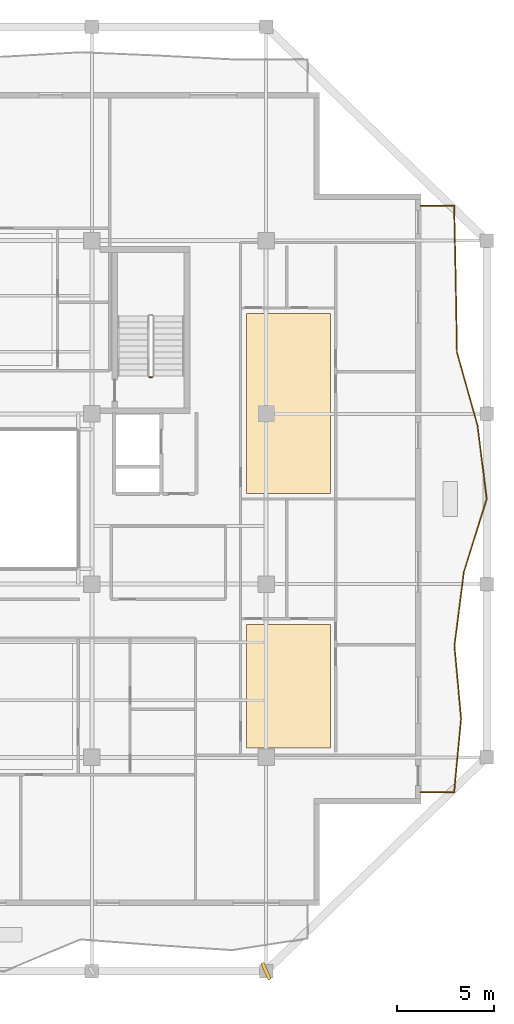
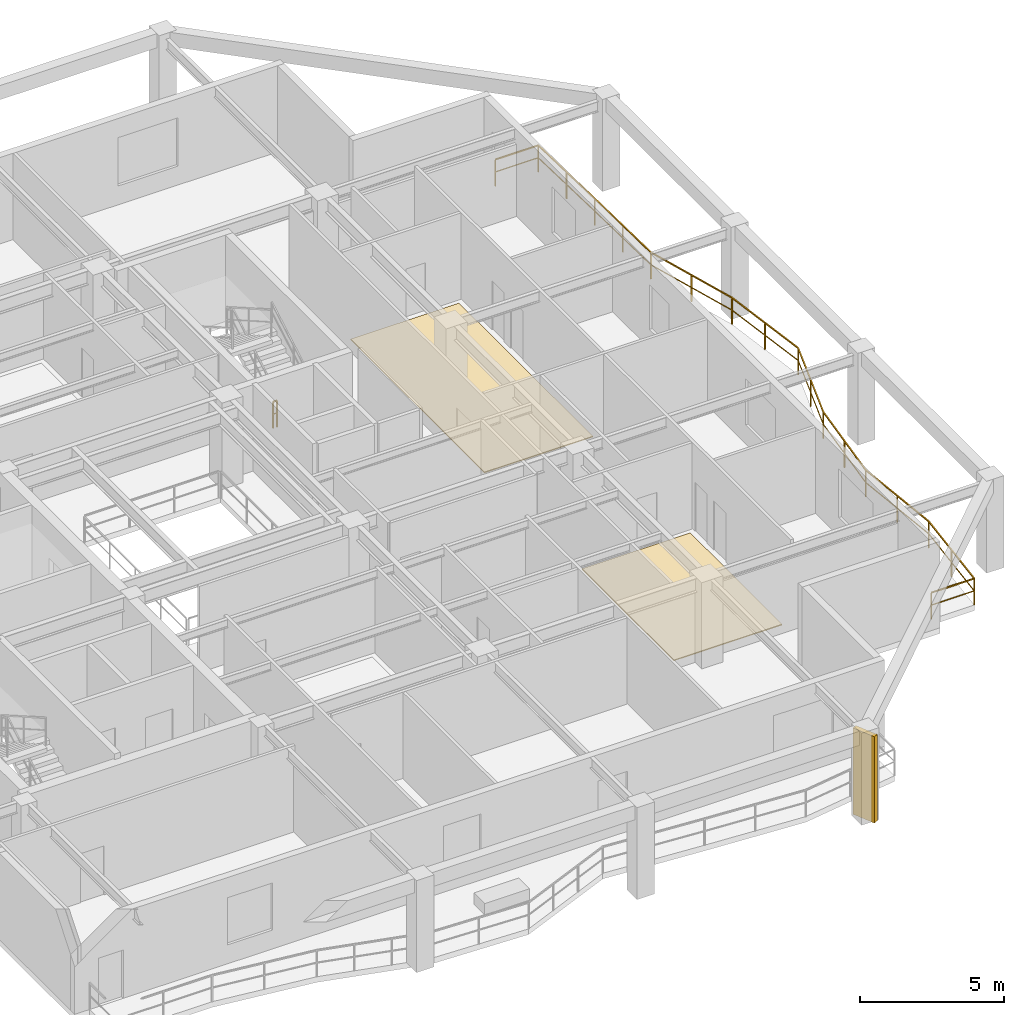
# One storey, part 9 of 11: 2 coverings, 2 railings, 1 shading device.
"""IFC4 building model written with IfcOpenShell, lengths in metres."""

import ifcopenshell
import ifcopenshell.guid

model = None  # the IFC model being written
_history = None  # IfcOwnerHistory: only IFC2X3 demands one
_inside = {}  # id of a spatial element -> (the spatial element, [elements in it])
_under = {}  # id of a project, library or spatial element -> (it, [spatial elements below it])
_declared = {}  # id of a project -> (the project, [libraries it declares])
_typed = {}  # id of a type object -> (the type object, [elements of that type])
_made_of = {}  # id of a material, layer set ... -> (it, [elements and type objects made of it])


def new_model(schema):
    """Start an empty IFC model of exactly this schema.

    Asked for "IFC4X3", IfcOpenShell would pick the latest addendum, in which some entities
    have other attributes; the version numbers below select the first issue.
    IFC2X3 requires an IfcOwnerHistory on every rooted entity: one is made here for all.
    """
    global model, _history
    if schema == "IFC4X3":
        model = ifcopenshell.file(schema_version=(4, 3, 0, 0))
    else:
        model = ifcopenshell.file(schema=schema)
    _inside.clear()
    _under.clear()
    _declared.clear()
    _typed.clear()
    _made_of.clear()
    _history = None
    if model.schema == "IFC2X3":
        org = make("IfcOrganization", Name="unknown")
        user = make(
            "IfcPersonAndOrganization",
            ThePerson=make("IfcPerson", FamilyName="unknown"),
            TheOrganization=org,
        )
        app = make(
            "IfcApplication",
            ApplicationDeveloper=org,
            Version="unknown",
            ApplicationFullName="unknown",
            ApplicationIdentifier="unknown",
        )
        _history = make(
            "IfcOwnerHistory",
            OwningUser=user,
            OwningApplication=app,
            ChangeAction="ADDED",
            CreationDate=0,
        )
    return model


def make(cls, **values):
    """One entity of the class cls with the attributes given. An attribute that is None is left unset."""
    return model.create_entity(
        cls, **{name: value for name, value in values.items() if value is not None}
    )


def rooted(cls, **values):
    """An entity with a GlobalId (a new one), such as an element, a storey or a relation."""
    return make(cls, GlobalId=ifcopenshell.guid.new(), OwnerHistory=_history, **values)


def si_unit(unit_type, name, prefix=None):
    """IfcSIUnit, for example si_unit("LENGTHUNIT", "METRE", prefix="MILLI")."""
    return make("IfcSIUnit", UnitType=unit_type, Prefix=prefix, Name=name)


def assignment(units):
    """IfcUnitAssignment: the units of a project."""
    return None if units is None else make("IfcUnitAssignment", Units=units)


def point(xyz):
    """IfcCartesianPoint."""
    return None if xyz is None else make("IfcCartesianPoint", Coordinates=xyz)


def direction(xyz):
    """IfcDirection."""
    return None if xyz is None else make("IfcDirection", DirectionRatios=xyz)


def frame(location, z_axis=None, x_axis=None):
    """IfcAxis2Placement3D, a coordinate frame: its origin and axes. An axis left out is left unset."""
    return make(
        "IfcAxis2Placement3D",
        Location=point(location),
        Axis=direction(z_axis),
        RefDirection=direction(x_axis),
    )


def frame_2d(location, x_axis=None):
    """IfcAxis2Placement2D, a coordinate frame in the plane: its origin and x axis."""
    return make(
        "IfcAxis2Placement2D", Location=point(location), RefDirection=direction(x_axis)
    )


def origin():
    """The frame at (0, 0, 0) with its axes left unset."""
    return frame((0.0, 0.0, 0.0))


def origin_2d():
    """The frame at (0, 0) in the plane with its x axis left unset."""
    return frame_2d((0.0, 0.0))


def place(relative_to, where):
    """IfcLocalPlacement: puts the frame where relative to a parent placement (None: the world)."""
    return make(
        "IfcLocalPlacement", PlacementRelTo=relative_to, RelativePlacement=where
    )


def context(
    kind, dimensions, precision=None, world=None, true_north=None, identifier=None
):
    """IfcGeometricRepresentationContext, for example the 3D "Model" context."""
    return make(
        "IfcGeometricRepresentationContext",
        ContextIdentifier=identifier,
        ContextType=kind,
        CoordinateSpaceDimension=dimensions,
        Precision=precision,
        WorldCoordinateSystem=world,
        TrueNorth=true_north,
    )


def subcontext(parent, identifier, kind, view, scale=None):
    """IfcGeometricRepresentationSubContext, for example "Body" below "Model"."""
    return make(
        "IfcGeometricRepresentationSubContext",
        ContextIdentifier=identifier,
        ContextType=kind,
        ParentContext=parent,
        TargetScale=scale,
        TargetView=view,
    )


def project(units=None, contexts=None):
    """IfcProject with its units and contexts."""
    return rooted(
        "IfcProject",
        Name="project",
        RepresentationContexts=contexts,
        UnitsInContext=assignment(units),
    )


def spatial(cls, under=None, at=None, **own):
    """A site, building, storey or space (cls), placed at a placement, below another one or the project."""
    s = rooted(cls, ObjectPlacement=at, **own)
    if under is not None:
        _under.setdefault(under.id(), (under, []))[1].append(s)
    return s


def polyline(points):
    """IfcPolyline through the points."""
    return make("IfcPolyline", Points=[point(p) for p in points])


def profile(cls, at=None, kind="AREA", **sizes):
    """A parametric profile (cls). Its sizes go by their IFC names, for example OverallWidth=200.0."""
    return make(cls, ProfileType=kind, Position=at, **sizes)


def rectangle(**sizes):
    """IfcRectangleProfileDef."""
    return profile("IfcRectangleProfileDef", **sizes)


def outline(outer, holes=None, kind="AREA"):
    """IfcArbitraryClosedProfileDef: a profile drawn as a closed curve; with holes, ...WithVoids."""
    if holes is None:
        return make("IfcArbitraryClosedProfileDef", ProfileType=kind, OuterCurve=outer)
    return make(
        "IfcArbitraryProfileDefWithVoids",
        ProfileType=kind,
        OuterCurve=outer,
        InnerCurves=holes,
    )


def extrude(swept, where, along, depth):
    """IfcExtrudedAreaSolid: the profile swept, set in the frame where, extruded along a direction by depth."""
    return make(
        "IfcExtrudedAreaSolid",
        SweptArea=swept,
        Position=where,
        ExtrudedDirection=direction(along),
        Depth=depth,
    )


def shape(context_of_items, identifier, shape_type, items):
    """IfcShapeRepresentation: the items that make up one representation, for example the "Body"."""
    return make(
        "IfcShapeRepresentation",
        ContextOfItems=context_of_items,
        RepresentationIdentifier=identifier,
        RepresentationType=shape_type,
        Items=items,
    )


def material(Name=None, Category=None):
    """IfcMaterial."""
    return make("IfcMaterial", Name=Name, Category=Category)


def layer(
    of_material, thickness, ventilated=None, Name=None, Category=None, Priority=None
):
    """IfcMaterialLayer: one layer of a wall or slab, of a material (None: an air gap)."""
    return make(
        "IfcMaterialLayer",
        Material=of_material,
        LayerThickness=thickness,
        IsVentilated=ventilated,
        Name=Name,
        Category=Category,
        Priority=Priority,
    )


def layer_set(layers, Name=None):
    """IfcMaterialLayerSet."""
    return make("IfcMaterialLayerSet", MaterialLayers=layers, LayerSetName=Name)


def made_of(thing, what):
    """Note that an element or type object is made of a material, layer set ...; save() writes the relation."""
    if what is not None:
        _made_of.setdefault(what.id(), (what, []))[1].append(thing)
    return thing


def type_object(cls, material=None, **own):
    """A type object (cls), such as IfcWallType, which elements share."""
    return made_of(rooted(cls, **own), material)


def element(
    cls,
    number,
    at=None,
    inside=None,
    cuts=None,
    type_object=None,
    material=None,
    context=None,
    identifier="Body",
    shape_type=None,
    held_by="IfcProductDefinitionShape",
    body=None,
    shapes=None,
    **own,
):
    """One element of the class cls, such as IfcWall. Its Tag is "e" and its number.

    at: its placement. inside: the storey or other place that contains it. cuts: it is an
    opening in that element (IfcRelVoidsElement). A single representation is given by context,
    identifier, shape_type and body (its items); several are given by shapes. held_by: the class
    of the entity that holds the representations. save() writes the other relations.
    """
    e = rooted(cls, Tag="e%d" % number, ObjectPlacement=at, **own)
    if body is not None:
        shapes = [shape(context, identifier, shape_type, body)]
    if shapes is not None:
        e.Representation = make(held_by, Representations=shapes)
    if inside is not None:
        _inside.setdefault(inside.id(), (inside, []))[1].append(e)
    if cuts is not None:
        rooted(
            "IfcRelVoidsElement", RelatingBuildingElement=cuts, RelatedOpeningElement=e
        )
    if type_object is not None:
        _typed.setdefault(type_object.id(), (type_object, []))[1].append(e)
    return made_of(e, material)


def aggregate(whole, parts):
    """IfcRelAggregates: a whole, such as a stair, and the parts it consists of."""
    return rooted("IfcRelAggregates", RelatingObject=whole, RelatedObjects=parts)


def save(model, path):
    """Write the relations noted so far, then the file.

    IfcRelAggregates (storeys below a building ...), IfcRelContainedInSpatialStructure (elements
    in a storey), IfcRelDefinesByType, IfcRelAssociatesMaterial and IfcRelDeclares: one each for
    every whole, place, type object, material and project.
    """
    for whole, parts in _under.values():
        aggregate(whole, parts)
    for where, things in _inside.values():
        rooted(
            "IfcRelContainedInSpatialStructure",
            RelatedElements=things,
            RelatingStructure=where,
        )
    for kind, things in _typed.values():
        rooted("IfcRelDefinesByType", RelatedObjects=things, RelatingType=kind)
    for what, things in _made_of.values():
        rooted("IfcRelAssociatesMaterial", RelatedObjects=things, RelatingMaterial=what)
    for by, libraries in _declared.values():
        rooted("IfcRelDeclares", RelatingContext=by, RelatedDefinitions=libraries)
    model.write(path)


model = new_model("IFC4")

# Units and contexts
model_context = context("Model", 3, precision=1e-05, world=origin(), true_north=direction((0.0, 1.0)))
body_context = subcontext(model_context, "Body", "Model", "MODEL_VIEW")
ifc_project = project(units=[si_unit("LENGTHUNIT", "METRE"), si_unit("AREAUNIT", "SQUARE_METRE"), si_unit("VOLUMEUNIT", "CUBIC_METRE"), si_unit("PLANEANGLEUNIT", "RADIAN"), si_unit("MASSUNIT", "GRAM", prefix="KILO")], contexts=[model_context])

# Site, building, storey
site_placement = place(None, origin())
site = spatial("IfcSite", under=ifc_project, at=site_placement, CompositionType="ELEMENT")
building_placement = place(site_placement, origin())
building = spatial("IfcBuilding", under=site, at=building_placement, Name="Kundavana Baori Tower", CompositionType="ELEMENT")
storey_placement = place(building_placement, frame((0.0, 0.0, 221.89990234375)))
storey = spatial("IfcBuildingStorey", under=building, at=storey_placement, Name="L54", CompositionType="ELEMENT", Elevation=221.89990234375)

# Coverings
ifc_material_1 = material(Name="Honed Kota Stone and Terrazzo Flooring", Category="masonry")
ifc_layer = layer(ifc_material_1, 0.0400390625, Name="COV-FLR-TERR-40")
ifc_layer_set = layer_set([ifc_layer], Name="Honed Kota Stone and Terrazzo Flooring")
covering_type = type_object("IfcCoveringType", Name="COV-FLR-TERR-40", PredefinedType="FLOORING", material=ifc_layer_set)
covering_1_placement = place(storey_placement, origin())
element("IfcCovering", 1, at=covering_1_placement, inside=storey, type_object=covering_type, Name="L54 Room Finished Stone Flooring 5", PredefinedType="FLOORING", context=body_context, shape_type="SweptSolid", body=[
    extrude(outline(polyline([(41.780029296875, 15.72998046875), (46.1298828125, 15.72998046875), (46.1298828125, 22.1201171875), (41.780029296875, 22.1201171875), (41.780029296875, 15.72998046875)])), origin(), (0.0, 0.0, 1.0), 0.0400390625),
])
covering_2_placement = place(storey_placement, origin())
element("IfcCovering", 2, at=covering_2_placement, inside=storey, type_object=covering_type, Name="L54 Room Finished Stone Flooring 6", PredefinedType="FLOORING", context=body_context, shape_type="SweptSolid", body=[
    extrude(outline(polyline([(41.780029296875, 28.8798828125), (46.1298828125, 28.8798828125), (46.1298828125, 38.18994140625), (41.780029296875, 38.18994140625), (41.780029296875, 28.8798828125)])), origin(), (0.0, 0.0, 1.0), 0.0400390625),
])

# Railings
ifc_material_2 = material(Name="Architectural Patinated Bronze Metalwork")
railing_type_1 = type_object("IfcRailingType", Name="RL-BAL-1150", PredefinedType="BALUSTRADE", material=ifc_material_2)
railing_1_placement = place(storey_placement, frame((50.800048828125, 43.75, 0.0)))
element("IfcRailing", 3, at=railing_1_placement, inside=storey, type_object=railing_type_1, Name="L54 Loggia Balcony Balustrade E", PredefinedType="BALUSTRADE", context=body_context, shape_type="SweptSolid", body=[
    extrude(rectangle(XDim=0.048095703125, YDim=0.048095703125, at=origin_2d()), frame((0.0, 0.0, 1.1259765625), z_axis=(1.0, 0.0, 0.0), x_axis=(0.0, 1.0, 0.0)), (0.0, 0.0, 1.0), 1.719970703125),
    extrude(rectangle(XDim=0.03125, YDim=0.03125, at=origin_2d()), frame((0.0, 0.0, 0.597900390625), z_axis=(1.0, 0.0, 0.0), x_axis=(0.0, 1.0, 0.0)), (0.0, 0.0, 1.0), 1.719970703125),
    extrude(rectangle(XDim=0.048095703125, YDim=0.048095703125, at=origin_2d()), frame((1.719970703125, 0.0, 1.1259765625), z_axis=(0.02164999004, -0.999765611497, 0.0), x_axis=(0.999765611497, 0.02164999004, 0.0)), (0.0, 0.0, 1.0), 3.7890625),
    extrude(rectangle(XDim=0.03125, YDim=0.03125, at=origin_2d()), frame((1.719970703125, 0.0, 0.597900390625), z_axis=(0.02164999004, -0.999765611497, 0.0), x_axis=(0.999765611497, 0.02164999004, 0.0)), (0.0, 0.0, 1.0), 3.7890625),
    extrude(rectangle(XDim=0.048095703125, YDim=0.048095703125, at=origin_2d()), frame((1.802001953125, -3.7880859375, 1.1259765625), z_axis=(0.017146598823, -0.999852986268, 0.0), x_axis=(0.999852986268, 0.017146598823, 0.0)), (0.0, 0.0, 1.0), 3.787353515625),
    extrude(rectangle(XDim=0.03125, YDim=0.03125, at=origin_2d()), frame((1.802001953125, -3.7880859375, 0.597900390625), z_axis=(0.017146598823, -0.999852986268, 0.0), x_axis=(0.999852986268, 0.017146598823, 0.0)), (0.0, 0.0, 1.0), 3.787353515625),
    extrude(rectangle(XDim=0.048095703125, YDim=0.048095703125, at=origin_2d()), frame((1.866943359375, -7.574951171875, 1.1259765625), z_axis=(0.270932467107, -0.962598357711, 0.0), x_axis=(0.962598357711, 0.270932467107, 0.0)), (0.0, 0.0, 1.0), 3.934326171875),
    extrude(rectangle(XDim=0.03125, YDim=0.03125, at=origin_2d()), frame((1.866943359375, -7.574951171875, 0.597900390625), z_axis=(0.270932467107, -0.962598357711, 0.0), x_axis=(0.962598357711, 0.270932467107, 0.0)), (0.0, 0.0, 1.0), 3.934326171875),
    extrude(rectangle(XDim=0.048095703125, YDim=0.048095703125, at=origin_2d()), frame((2.932861328125, -11.362060546875, 1.1259765625), z_axis=(0.122373326497, -0.992484140408, 0.0), x_axis=(0.992484140408, 0.122373326497, 0.0)), (0.0, 0.0, 1.0), 3.81640625),
    extrude(rectangle(XDim=0.03125, YDim=0.03125, at=origin_2d()), frame((2.932861328125, -11.362060546875, 0.597900390625), z_axis=(0.122373326497, -0.992484140408, 0.0), x_axis=(0.992484140408, 0.122373326497, 0.0)), (0.0, 0.0, 1.0), 3.81640625),
    extrude(rectangle(XDim=0.048095703125, YDim=0.048095703125, at=origin_2d()), frame((3.39990234375, -15.14990234375, 1.1259765625), z_axis=(-0.296718615779, -0.954964953833, 0.0), x_axis=(0.954964953833, -0.296718615779, 0.0)), (0.0, 0.0, 1.0), 3.966796875),
    extrude(rectangle(XDim=0.03125, YDim=0.03125, at=origin_2d()), frame((3.39990234375, -15.14990234375, 0.597900390625), z_axis=(-0.296718615779, -0.954964953833, 0.0), x_axis=(0.954964953833, -0.296718615779, 0.0)), (0.0, 0.0, 1.0), 3.966796875),
    extrude(rectangle(XDim=0.048095703125, YDim=0.048095703125, at=origin_2d()), frame((2.222900390625, -18.93798828125, 1.1259765625), z_axis=(-0.127244967104, -0.991871321466, 0.0), x_axis=(0.991871321466, -0.127244967104, 0.0)), (0.0, 0.0, 1.0), 3.818115234375),
    extrude(rectangle(XDim=0.03125, YDim=0.03125, at=origin_2d()), frame((2.222900390625, -18.93798828125, 0.597900390625), z_axis=(-0.127244967104, -0.991871321466, 0.0), x_axis=(0.991871321466, -0.127244967104, 0.0)), (0.0, 0.0, 1.0), 3.818115234375),
    extrude(rectangle(XDim=0.048095703125, YDim=0.048095703125, at=origin_2d()), frame((1.737060546875, -22.72509765625, 1.1259765625), z_axis=(0.090147860438, -0.995928392636, 0.0), x_axis=(0.995928392636, 0.090147860438, 0.0)), (0.0, 0.0, 1.0), 3.80224609375),
    extrude(rectangle(XDim=0.03125, YDim=0.03125, at=origin_2d()), frame((1.737060546875, -22.72509765625, 0.597900390625), z_axis=(0.090147860438, -0.995928392636, 0.0), x_axis=(0.995928392636, 0.090147860438, 0.0)), (0.0, 0.0, 1.0), 3.80224609375),
    extrude(rectangle(XDim=0.048095703125, YDim=0.048095703125, at=origin_2d()), frame((2.079833984375, -26.511962890625, 1.1259765625), z_axis=(-0.094572920789, -0.995517936882, 0.0), x_axis=(0.995517936882, -0.094572920789, 0.0)), (0.0, 0.0, 1.0), 3.80517578125),
    extrude(rectangle(XDim=0.03125, YDim=0.03125, at=origin_2d()), frame((2.079833984375, -26.511962890625, 0.597900390625), z_axis=(-0.094572920789, -0.995517936882, 0.0), x_axis=(0.995517936882, -0.094572920789, 0.0)), (0.0, 0.0, 1.0), 3.80517578125),
    extrude(rectangle(XDim=0.048095703125, YDim=0.048095703125, at=origin_2d()), frame((1.719970703125, -30.300048828125, 1.1259765625), z_axis=(-1.0, 0.0, 0.0), x_axis=(0.0, -1.0, 0.0)), (0.0, 0.0, 1.0), 1.719970703125),
    extrude(rectangle(XDim=0.03125, YDim=0.03125, at=origin_2d()), frame((1.719970703125, -30.300048828125, 0.597900390625), z_axis=(-1.0, 0.0, 0.0), x_axis=(0.0, -1.0, 0.0)), (0.0, 0.0, 1.0), 1.719970703125),
    extrude(rectangle(XDim=0.0419921875, YDim=0.0419921875, at=origin_2d()), origin(), (0.0, 0.0, 1.0), 1.101806640625),
    extrude(rectangle(XDim=0.0419921875, YDim=0.0419921875, at=origin_2d()), frame((1.719970703125, 0.0, 0.0)), (0.0, 0.0, 1.0), 1.101806640625),
    extrude(rectangle(XDim=0.0419921875, YDim=0.0419921875, at=origin_2d()), frame((1.760986328125, -1.89404296875, 0.0)), (0.0, 0.0, 1.0), 1.101806640625),
    extrude(rectangle(XDim=0.0419921875, YDim=0.0419921875, at=origin_2d()), frame((1.802001953125, -3.7880859375, 0.0)), (0.0, 0.0, 1.0), 1.101806640625),
    extrude(rectangle(XDim=0.0419921875, YDim=0.0419921875, at=origin_2d()), frame((1.83447265625, -5.681640625, 0.0)), (0.0, 0.0, 1.0), 1.101806640625),
    extrude(rectangle(XDim=0.0419921875, YDim=0.0419921875, at=origin_2d()), frame((1.866943359375, -7.574951171875, 0.0)), (0.0, 0.0, 1.0), 1.101806640625),
    extrude(rectangle(XDim=0.0419921875, YDim=0.0419921875, at=origin_2d()), frame((2.39990234375, -9.468505859375, 0.0)), (0.0, 0.0, 1.0), 1.101806640625),
    extrude(rectangle(XDim=0.0419921875, YDim=0.0419921875, at=origin_2d()), frame((2.932861328125, -11.362060546875, 0.0)), (0.0, 0.0, 1.0), 1.101806640625),
    extrude(rectangle(XDim=0.0419921875, YDim=0.0419921875, at=origin_2d()), frame((3.16650390625, -13.255859375, 0.0)), (0.0, 0.0, 1.0), 1.101806640625),
    extrude(rectangle(XDim=0.0419921875, YDim=0.0419921875, at=origin_2d()), frame((3.39990234375, -15.14990234375, 0.0)), (0.0, 0.0, 1.0), 1.101806640625),
    extrude(rectangle(XDim=0.0419921875, YDim=0.0419921875, at=origin_2d()), frame((2.8115234375, -17.0439453125, 0.0)), (0.0, 0.0, 1.0), 1.101806640625),
    extrude(rectangle(XDim=0.0419921875, YDim=0.0419921875, at=origin_2d()), frame((2.222900390625, -18.93798828125, 0.0)), (0.0, 0.0, 1.0), 1.101806640625),
    extrude(rectangle(XDim=0.0419921875, YDim=0.0419921875, at=origin_2d()), frame((1.97998046875, -20.83154296875, 0.0)), (0.0, 0.0, 1.0), 1.101806640625),
    extrude(rectangle(XDim=0.0419921875, YDim=0.0419921875, at=origin_2d()), frame((1.737060546875, -22.72509765625, 0.0)), (0.0, 0.0, 1.0), 1.101806640625),
    extrude(rectangle(XDim=0.0419921875, YDim=0.0419921875, at=origin_2d()), frame((1.908447265625, -24.61865234375, 0.0)), (0.0, 0.0, 1.0), 1.101806640625),
    extrude(rectangle(XDim=0.0419921875, YDim=0.0419921875, at=origin_2d()), frame((2.079833984375, -26.511962890625, 0.0)), (0.0, 0.0, 1.0), 1.101806640625),
    extrude(rectangle(XDim=0.0419921875, YDim=0.0419921875, at=origin_2d()), frame((1.89990234375, -28.406005859375, 0.0)), (0.0, 0.0, 1.0), 1.101806640625),
    extrude(rectangle(XDim=0.0419921875, YDim=0.0419921875, at=origin_2d()), frame((1.719970703125, -30.300048828125, 0.0)), (0.0, 0.0, 1.0), 1.101806640625),
    extrude(rectangle(XDim=0.0419921875, YDim=0.0419921875, at=origin_2d()), frame((0.0, -30.300048828125, 0.0)), (0.0, 0.0, 1.0), 1.101806640625),
])
ifc_material_3 = material(Name="Architectural Patinated Bronze Metalwork")
railing_type_2 = type_object("IfcRailingType", Name="RL-GRD-1150", PredefinedType="GUARDRAIL", material=ifc_material_3)
railing_2_placement = place(storey_placement, frame((36.929931640625, 34.89990234375, 0.0)))
element("IfcRailing", 4, at=railing_2_placement, inside=storey, type_object=railing_type_2, Name="L54 ST3 stair guard 4", PredefinedType="GUARDRAIL", context=body_context, shape_type="SweptSolid", body=[
    extrude(rectangle(XDim=0.048095703125, YDim=0.048095703125, at=origin_2d()), frame((0.0, 0.0, 1.1259765625), z_axis=(-1.0, 0.0, 0.0), x_axis=(0.0, -1.0, 0.0)), (0.0, 0.0, 1.0), 0.159912109375),
    extrude(rectangle(XDim=0.03125, YDim=0.03125, at=origin_2d()), frame((0.0, 0.0, 0.597900390625), z_axis=(-1.0, 0.0, 0.0), x_axis=(0.0, -1.0, 0.0)), (0.0, 0.0, 1.0), 0.159912109375),
    extrude(rectangle(XDim=0.0419921875, YDim=0.0419921875, at=origin_2d()), origin(), (0.0, 0.0, 1.0), 1.101806640625),
    extrude(rectangle(XDim=0.0419921875, YDim=0.0419921875, at=origin_2d()), frame((-0.159912109375, 0.0, 0.0)), (0.0, 0.0, 1.0), 1.101806640625),
])

# Shading device
ifc_material_4 = material(Name="Red-Buff Dholpur Sandstone Cladding on Concrete C40/50", Category="masonry")
shading_device_type = type_object("IfcShadingDeviceType", Name="SHD-FIN-920", PredefinedType="JALOUSIE", material=ifc_material_4)
shading_device_placement = place(storey_placement, frame((42.800048828125, 4.199951171875, 0.0), z_axis=(0.0, 0.0, 1.0), x_axis=(0.91276289622, 0.408489773781, 0.0)))
element("IfcShadingDevice", 5, at=shading_device_placement, inside=storey, type_object=shading_device_type, Name="L54 Sweeping Dholpur Sandstone Facade Fin 4", PredefinedType="JALOUSIE", context=body_context, shape_type="SweptSolid", body=[
    extrude(rectangle(XDim=0.179931640625, YDim=0.919921875, at=origin_2d()), origin(), (0.0, 0.0, 1.0), 3.659912109375),
])

save(model, "model.ifc")
